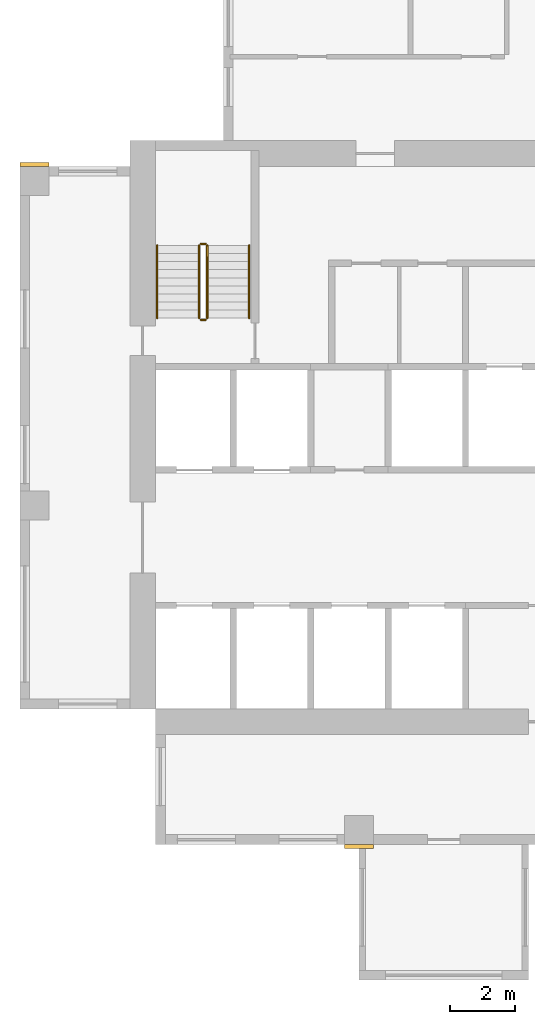
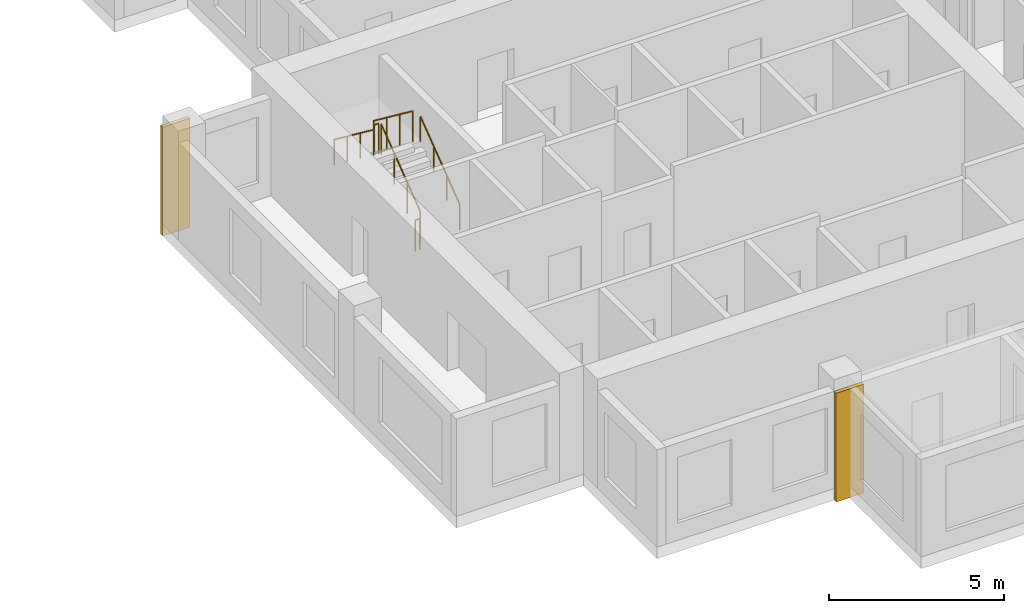
# One storey, part 9 of 11: 6 railings, 2 coverings.
"""IFC4 building model written with IfcOpenShell, lengths in metres."""

from ifc_helpers import new_model, si_unit, direction, frame, origin, origin_2d, place, context, subcontext, project, spatial, rectangle, circle, extrude, source, transform, mapped, material, type_object, element, save


model = new_model("IFC4")

# Units and contexts
model_context = context("Model", 3, precision=1e-05, world=origin(), true_north=direction((0.0, 1.0)))
body_context = subcontext(model_context, "Body", "Model", "MODEL_VIEW")
ifc_project = project(units=[si_unit("LENGTHUNIT", "METRE"), si_unit("AREAUNIT", "SQUARE_METRE"), si_unit("VOLUMEUNIT", "CUBIC_METRE"), si_unit("PLANEANGLEUNIT", "RADIAN"), si_unit("MASSUNIT", "GRAM", prefix="KILO")], contexts=[model_context])

# Site, building, storey
site_placement = place(None, origin())
site = spatial("IfcSite", under=ifc_project, at=site_placement, CompositionType="ELEMENT")
building_placement = place(site_placement, origin())
building = spatial("IfcBuilding", under=site, at=building_placement, Name="Aurelian Terraces", CompositionType="ELEMENT")
storey_placement = place(building_placement, frame((0.0, 0.0, 212.0)))
storey = spatial("IfcBuildingStorey", under=building, at=storey_placement, Name="L47", CompositionType="ELEMENT", Elevation=212.0)

# Coverings
ifc_material_1 = material(Name="Terracotta rainscreen cladding relief", Category="masonry")
covering_type = type_object("IfcCoveringType", Name="BAGUETTE-TC", PredefinedType="CLADDING", material=ifc_material_1)
shared_shape_1 = source(origin(), body_context, "Body", "SweptSolid", [
    extrude(rectangle(XDim=0.9, YDim=0.12, at=origin_2d()), origin(), (0.0, 0.0, 1.0), 3.8),
])
for number, where, z_axis, x_axis, name in (
    (1, (10.5, -0.06, -0.4), (0.0, 0.0, 1.0), (1.0, 0.0, 0.0), "BAGUETTE pier L47 1"),
    (2, (0.45, 21.06, -0.4), (0.0, 0.0, 1.0), (1.0, 0.0, 0.0), "BAGUETTE pier L47 4"),
):
    element("IfcCovering", number, at=place(storey_placement, frame(where, z_axis=z_axis, x_axis=x_axis)), inside=storey, type_object=covering_type, Name=name, PredefinedType="CLADDING", context=body_context, shape_type="MappedRepresentation", body=[
        mapped(shared_shape_1, transform((0.0, 0.0, 0.0), scale=1.0)),
    ])

# Railings
ifc_material_2 = material(Name="Stainless steel", Category="steel")
railing_type_1 = type_object("IfcRailingType", Name="Stair guard 1100", PredefinedType="GUARDRAIL", material=ifc_material_2)
shared_shape_2 = source(origin(), body_context, "Body", "SweptSolid", [
    extrude(circle(Radius=0.024, at=origin_2d()), frame((0.0, 0.0, 1.076), z_axis=(-1.0, 0.0, 0.0), x_axis=(0.0, -1.0, 0.0)), (0.0, 0.0, 1.0), 0.15),
    extrude(circle(Radius=0.021, at=origin_2d()), origin(), (0.0, 0.0, 1.0), 1.052),
    extrude(circle(Radius=0.021, at=origin_2d()), frame((-0.15, 0.0, 0.0)), (0.0, 0.0, 1.0), 1.052),
])
for number, where, name in (
    (3, (5.75, 18.6, 1.9), "L47 S1 stair guard 2"),
    (4, (5.75, 16.25, 0.0), "L47 S1 stair guard 4"),
):
    element("IfcRailing", number, at=place(storey_placement, frame(where)), inside=storey, type_object=railing_type_1, Name=name, PredefinedType="GUARDRAIL", context=body_context, shape_type="MappedRepresentation", body=[
        mapped(shared_shape_2, transform((0.0, 0.0, 0.0), scale=1.0)),
    ])
shared_shape_3 = source(origin(), body_context, "Body", "SweptSolid", [
    extrude(circle(Radius=0.024, at=origin_2d()), frame((0.0, 0.0, 1.076), z_axis=(0.0, 0.796162194123, 0.605083267534), x_axis=(-1.0, 0.0, 0.0)), (0.0, 0.0, 1.0), 2.8261),
    extrude(circle(Radius=0.021, at=origin_2d()), origin(), (0.0, 0.0, 1.0), 1.052),
    extrude(circle(Radius=0.021, at=origin_2d()), frame((0.0, 0.75, 0.57)), (0.0, 0.0, 1.0), 1.052),
    extrude(circle(Radius=0.021, at=origin_2d()), frame((0.0, 1.5, 1.14)), (0.0, 0.0, 1.0), 1.052),
    extrude(circle(Radius=0.021, at=origin_2d()), frame((0.0, 2.25, 1.71)), (0.0, 0.0, 1.0), 1.052),
])
railing_1_placement = place(storey_placement, frame((5.8, 16.3, 0.19)))
element("IfcRailing", 5, at=railing_1_placement, inside=storey, type_object=railing_type_1, Name="L47 S1 stair guard 1", PredefinedType="GUARDRAIL", context=body_context, shape_type="MappedRepresentation", body=[
    mapped(shared_shape_3, transform((0.0, 0.0, 0.0), scale=1.0)),
])
shared_shape_4 = source(origin(), body_context, "Body", "SweptSolid", [
    extrude(circle(Radius=0.024, at=origin_2d()), frame((0.0, 0.0, 1.076), z_axis=(0.0, -0.796162194123, 0.605083267534), x_axis=(1.0, 0.0, 0.0)), (0.0, 0.0, 1.0), 2.8261),
    extrude(circle(Radius=0.021, at=origin_2d()), origin(), (0.0, 0.0, 1.0), 1.052),
    extrude(circle(Radius=0.021, at=origin_2d()), frame((0.0, -0.75, 0.57)), (0.0, 0.0, 1.0), 1.052),
    extrude(circle(Radius=0.021, at=origin_2d()), frame((0.0, -1.5, 1.14)), (0.0, 0.0, 1.0), 1.052),
    extrude(circle(Radius=0.021, at=origin_2d()), frame((0.0, -2.25, 1.71)), (0.0, 0.0, 1.0), 1.052),
])
railing_2_placement = place(storey_placement, frame((5.55, 18.55, 2.09)))
element("IfcRailing", 6, at=railing_2_placement, inside=storey, type_object=railing_type_1, Name="L47 S1 stair guard 3", PredefinedType="GUARDRAIL", context=body_context, shape_type="MappedRepresentation", body=[
    mapped(shared_shape_4, transform((0.0, 0.0, 0.0), scale=1.0)),
])
railing_type_2 = type_object("IfcRailingType", Name="Stair handrail", PredefinedType="HANDRAIL", material=ifc_material_2)
shared_shape_5 = source(origin(), body_context, "Body", "SweptSolid", [
    extrude(circle(Radius=0.024, at=origin_2d()), frame((0.0, 0.0, 0.876), z_axis=(0.0, 0.796162194123, 0.605083267534), x_axis=(-1.0, 0.0, 0.0)), (0.0, 0.0, 1.0), 2.8261),
    extrude(circle(Radius=0.021, at=origin_2d()), origin(), (0.0, 0.0, 1.0), 0.852),
    extrude(circle(Radius=0.021, at=origin_2d()), frame((0.0, 0.75, 0.57)), (0.0, 0.0, 1.0), 0.852),
    extrude(circle(Radius=0.021, at=origin_2d()), frame((0.0, 1.5, 1.14)), (0.0, 0.0, 1.0), 0.852),
    extrude(circle(Radius=0.021, at=origin_2d()), frame((0.0, 2.25, 1.71)), (0.0, 0.0, 1.0), 0.852),
])
railing_3_placement = place(storey_placement, frame((7.1, 16.3, 0.19)))
element("IfcRailing", 7, at=railing_3_placement, inside=storey, type_object=railing_type_2, Name="L47 S1 stair handrail 1", PredefinedType="HANDRAIL", context=body_context, shape_type="MappedRepresentation", body=[
    mapped(shared_shape_5, transform((0.0, 0.0, 0.0), scale=1.0)),
])
shared_shape_6 = source(origin(), body_context, "Body", "SweptSolid", [
    extrude(circle(Radius=0.024, at=origin_2d()), frame((0.0, 0.0, 0.876), z_axis=(0.0, -0.796162194123, 0.605083267534), x_axis=(1.0, 0.0, 0.0)), (0.0, 0.0, 1.0), 2.8261),
    extrude(circle(Radius=0.021, at=origin_2d()), origin(), (0.0, 0.0, 1.0), 0.852),
    extrude(circle(Radius=0.021, at=origin_2d()), frame((0.0, -0.75, 0.57)), (0.0, 0.0, 1.0), 0.852),
    extrude(circle(Radius=0.021, at=origin_2d()), frame((0.0, -1.5, 1.14)), (0.0, 0.0, 1.0), 0.852),
    extrude(circle(Radius=0.021, at=origin_2d()), frame((0.0, -2.25, 1.71)), (0.0, 0.0, 1.0), 0.852),
])
railing_4_placement = place(storey_placement, frame((4.25, 18.55, 2.09)))
element("IfcRailing", 8, at=railing_4_placement, inside=storey, type_object=railing_type_2, Name="L47 S1 stair handrail 2", PredefinedType="HANDRAIL", context=body_context, shape_type="MappedRepresentation", body=[
    mapped(shared_shape_6, transform((0.0, 0.0, 0.0), scale=1.0)),
])

save(model, "model.ifc")
